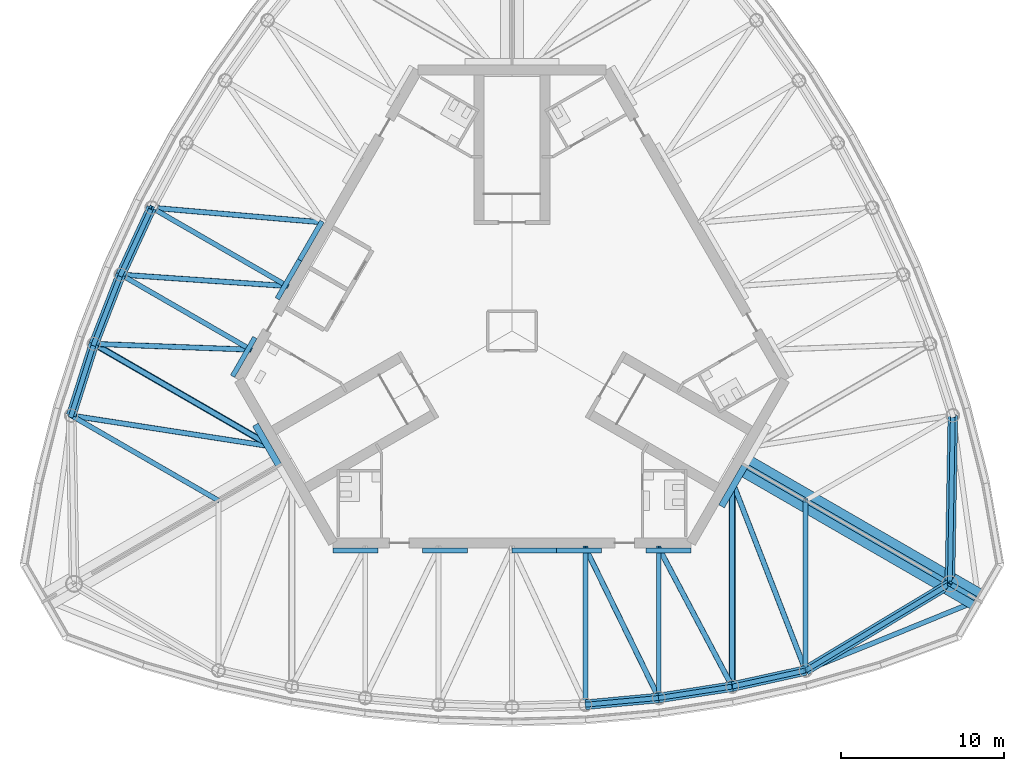
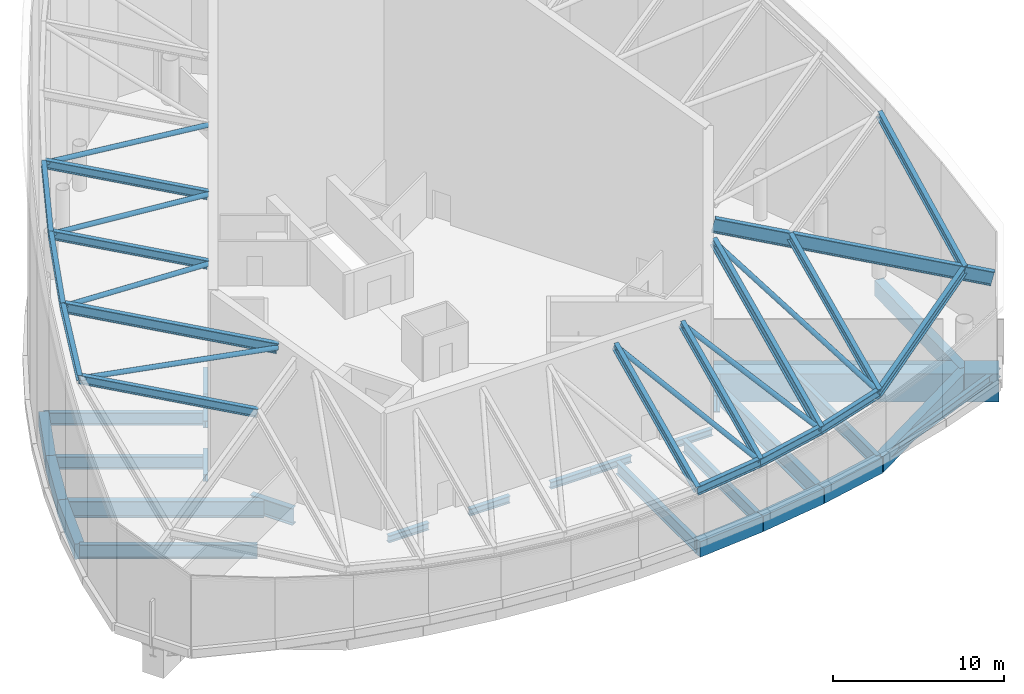
# One storey, part 2 of 10: 47 beams, 7 members.
"""IFC4 building model written with IfcOpenShell, lengths in metres."""

from ifc_helpers import new_model, si_unit, direction, frame, origin, origin_2d, place, context, subcontext, project, spatial, rectangle, hollow_circle, i_section, extrude, material, material_profile, profile_set, type_object, element, save


model = new_model("IFC4")

# Units and contexts
model_context = context("Model", 3, precision=1e-05, world=origin(), true_north=direction((0.0, 1.0)))
body_context = subcontext(model_context, "Body", "Model", "MODEL_VIEW")
ifc_project = project(units=[si_unit("LENGTHUNIT", "METRE"), si_unit("AREAUNIT", "SQUARE_METRE"), si_unit("VOLUMEUNIT", "CUBIC_METRE"), si_unit("PLANEANGLEUNIT", "RADIAN"), si_unit("MASSUNIT", "GRAM", prefix="KILO")], contexts=[model_context])

# Site, building, storey
site_placement = place(None, origin())
site = spatial("IfcSite", under=ifc_project, at=site_placement, CompositionType="ELEMENT")
building_placement = place(site_placement, origin())
building = spatial("IfcBuilding", under=site, at=building_placement, Name="Trefoil Bronze Tower", CompositionType="ELEMENT")
storey_placement = place(building_placement, frame((0.0, 0.0, 328.5)))
storey = spatial("IfcBuildingStorey", under=building, at=storey_placement, Name="RF", CompositionType="ELEMENT", Elevation=328.5)

# Beams
ifc_material_1 = material(Name="Steel C355", Category="steel")
ifc_material_profile_1 = material_profile(ifc_material_1, i_section(OverallWidth=0.300048828125, OverallDepth=0.5, WebThickness=0.014404296875, FlangeThickness=0.028076171875, FilletRadius=0.027099609375, at=origin_2d()), Name="HEB 500")
ifc_profile_set_1 = profile_set([ifc_material_profile_1], Name="Steel C355")
beam_type_1 = type_object("IfcBeamType", Name="Core seat beam HEB 500", PredefinedType="BEAM", material=ifc_profile_set_1)
for number, where, z_axis, x_axis, name in (
    (1, (-10.9697265625, -13.449951171875, -0.5), (1.0, 0.0, 0.0), (0.0, 1.0, 0.0), "Core seat beam F1/-2 RF"),
    (2, (-5.48486328125, -13.449951171875, -0.5), (1.0, 0.0, 0.0), (0.0, 1.0, 0.0), "Core seat beam F1/-1 RF"),
    (3, (0.0, -13.449951171875, -0.5), (1.0, 0.0, 0.0), (0.0, 1.0, 0.0), "Core seat beam F1/+0 RF"),
    (4, (2.742431640625, -13.449951171875, -0.5), (1.0, 0.0, 0.0), (0.0, 1.0, 0.0), "Core seat beam F1/+1 RF"),
    (5, (8.227294921875, -13.449951171875, -0.5), (1.0, 0.0, 0.0), (0.0, 1.0, 0.0), "Core seat beam F1/+2 RF"),
    (6, (-11.64794921875, 6.72509765625, -0.5), (-0.500035825175, -0.866004719122, 0.0), (0.866004719122, -0.500035825175, 0.0), "Core seat beam F3/+0 RF"),
    (7, (-13.019287109375, 4.35009765625, -0.5), (-0.499969057507, -0.866043267704, 0.0), (0.866043267704, -0.499969057507, 0.0), "Core seat beam F3/+1 RF"),
    (8, (-15.76171875, -0.39990234375, -0.5), (-0.499969057507, -0.866043267704, 0.0), (0.866043267704, -0.499969057507, 0.0), "Core seat beam F3/+2 RF"),
):
    element("IfcBeam", number, at=place(storey_placement, frame(where, z_axis=z_axis, x_axis=x_axis)), inside=storey, type_object=beam_type_1, Name=name, PredefinedType="BEAM", context=body_context, shape_type="SweptSolid", body=[
        extrude(i_section(OverallWidth=0.300048828125, OverallDepth=0.5, WebThickness=0.014404296875, FlangeThickness=0.028076171875, FilletRadius=0.027099609375, at=origin_2d()), origin(), (0.0, 0.0, 1.0), 2.742431640625),
    ])
ifc_material_2 = material(Name="Steel C355", Category="steel")
ifc_material_profile_2 = material_profile(ifc_material_2, i_section(OverallWidth=0.39990234375, OverallDepth=1.199951171875, WebThickness=0.02001953125, FlangeThickness=0.0400390625, FilletRadius=0.010009765625, at=origin_2d()), Name="WPG 1200")
ifc_profile_set_2 = profile_set([ifc_material_profile_2], Name="Steel C355")
beam_type_2 = type_object("IfcBeamType", Name="Core seat beam WPG 1200", PredefinedType="BEAM", material=ifc_profile_set_2)
beam_1_placement = place(storey_placement, frame((12.845947265625, -10.75, -0.85009765625), z_axis=(0.499995765644, 0.866027848477, 0.0), x_axis=(-0.866027848477, 0.499995765644, 0.0)))
element("IfcBeam", 9, at=beam_1_placement, inside=storey, type_object=beam_type_2, Name="Core seat beam F1/+3 RF", PredefinedType="BEAM", context=body_context, shape_type="SweptSolid", body=[
    extrude(i_section(OverallWidth=0.39990234375, OverallDepth=1.199951171875, WebThickness=0.02001953125, FlangeThickness=0.0400390625, FilletRadius=0.010009765625, at=origin_2d()), origin(), (0.0, 0.0, 1.0), 2.88671875),
])
beam_2_placement = place(storey_placement, frame((-15.73291015625, -5.75, -0.85009765625), z_axis=(0.500059191753, -0.865991226713, 0.0), x_axis=(0.865991226713, 0.500059191753, 0.0)))
element("IfcBeam", 10, at=beam_2_placement, inside=storey, type_object=beam_type_2, Name="Core seat beam F3/+3 RF", PredefinedType="BEAM", context=body_context, shape_type="SweptSolid", body=[
    extrude(i_section(OverallWidth=0.39990234375, OverallDepth=1.199951171875, WebThickness=0.02001953125, FlangeThickness=0.0400390625, FilletRadius=0.010009765625, at=origin_2d()), origin(), (0.0, 0.0, 1.0), 2.886962890625),
])
ifc_material_3 = material(Name="Concrete B80", Category="concrete")
ifc_material_profile_3 = material_profile(ifc_material_3, rectangle(XDim=1.39990234375, YDim=2.0, at=origin_2d()), Name="RC 1400x2000")
ifc_profile_set_3 = profile_set([ifc_material_profile_3], Name="Concrete B80")
beam_type_3 = type_object("IfcBeamType", Name="Corner cantilever RC 1400x2000", PredefinedType="BEAM", material=ifc_profile_set_3)
beam_3_placement = place(storey_placement, frame((26.8466796875, -15.5, -1.25), z_axis=(0.866010470582, -0.500025864173, 0.0), x_axis=(0.500025864173, 0.866010470582, 0.0)))
element("IfcBeam", 11, at=beam_3_placement, inside=storey, type_object=beam_type_3, Name="Corner cantilever K1 RF", PredefinedType="BEAM", context=body_context, shape_type="SweptSolid", body=[
    extrude(rectangle(XDim=1.39990234375, YDim=2.0, at=origin_2d()), origin(), (0.0, 0.0, 1.0), 2.02001953125),
])
ifc_material_4 = material(Name="Steel C355", Category="steel")
ifc_material_profile_4 = material_profile(ifc_material_4, i_section(OverallWidth=0.300048828125, OverallDepth=0.60009765625, WebThickness=0.015380859375, FlangeThickness=0.030029296875, FilletRadius=0.027099609375, at=origin_2d()), Name="HEB 600")
ifc_profile_set_4 = profile_set([ifc_material_profile_4], Name="Steel C355")
beam_type_4 = type_object("IfcBeamType", Name="Corner edge beam HEB 600", PredefinedType="BEAM", material=ifc_profile_set_4)
beam_4_placement = place(storey_placement, frame((18.0, -20.816162109375, -0.550048828125), z_axis=(0.926419351914, 0.376493272714, 0.0), x_axis=(-0.376493272714, 0.926419351914, 0.0)))
element("IfcBeam", 12, at=beam_4_placement, inside=storey, type_object=beam_type_4, Name="Corner edge beam F1A RF", PredefinedType="BEAM", context=body_context, shape_type="SweptSolid", body=[
    extrude(i_section(OverallWidth=0.300048828125, OverallDepth=0.60009765625, WebThickness=0.015380859375, FlangeThickness=0.030029296875, FilletRadius=0.027099609375, at=origin_2d()), origin(), (0.0, 0.0, 1.0), 11.4375),
])
ifc_material_5 = material(Name="Concrete B80", Category="concrete")
ifc_material_profile_5 = material_profile(ifc_material_5, rectangle(XDim=1.39990234375, YDim=2.0, at=origin_2d()), Name="RC 1400x2000")
ifc_profile_set_5 = profile_set([ifc_material_profile_5], Name="Concrete B80")
beam_type_5 = type_object("IfcBeamType", Name="Corner girder RC 1400x2000", PredefinedType="BEAM", material=ifc_profile_set_5)
beam_5_placement = place(storey_placement, frame((14.1162109375, -8.14990234375, -1.25), z_axis=(0.86602074674, -0.500008066151, 0.0), x_axis=(0.500008066151, 0.86602074674, 0.0)))
element("IfcBeam", 13, at=beam_5_placement, inside=storey, type_object=beam_type_5, Name="Corner girder K1 RF", PredefinedType="BEAM", context=body_context, shape_type="SweptSolid", body=[
    extrude(rectangle(XDim=1.39990234375, YDim=2.0, at=origin_2d()), origin(), (0.0, 0.0, 1.0), 14.699951171875),
])
ifc_material_6 = material(Name="Steel C355", Category="steel")
ifc_material_profile_6 = material_profile(ifc_material_6, i_section(OverallWidth=0.300048828125, OverallDepth=0.60009765625, WebThickness=0.015380859375, FlangeThickness=0.030029296875, FilletRadius=0.027099609375, at=origin_2d()), Name="HEB 600")
ifc_profile_set_6 = profile_set([ifc_material_profile_6], Name="Steel C355")
beam_type_6 = type_object("IfcBeamType", Name="Crown edge beam HEB 600", PredefinedType="BEAM", material=ifc_profile_set_6)
beam_6_placement = place(storey_placement, frame((4.5, -22.913818359375, 3.28955078125), z_axis=(0.994873271604, 0.091650109331, 0.042748460889), x_axis=(-0.091733966402, 0.995783550481, 0.0)))
element("IfcBeam", 14, at=beam_6_placement, inside=storey, type_object=beam_type_6, Name="Crown edge beam F1.7", PredefinedType="BEAM", context=body_context, shape_type="SweptSolid", body=[
    extrude(i_section(OverallWidth=0.300048828125, OverallDepth=0.60009765625, WebThickness=0.015380859375, FlangeThickness=0.030029296875, FilletRadius=0.027099609375, at=origin_2d()), origin(), (0.0, 0.0, 1.0), 4.523193359375),
])
beam_7_placement = place(storey_placement, frame((9.0, -22.499267578125, 3.48291015625), z_axis=(0.985728869191, 0.152576197038, 0.071127354385), x_axis=(-0.152963616816, 0.988231820946, 0.0)))
element("IfcBeam", 15, at=beam_7_placement, inside=storey, type_object=beam_type_6, Name="Crown edge beam F1.8", PredefinedType="BEAM", context=body_context, shape_type="SweptSolid", body=[
    extrude(i_section(OverallWidth=0.300048828125, OverallDepth=0.60009765625, WebThickness=0.015380859375, FlangeThickness=0.030029296875, FilletRadius=0.027099609375, at=origin_2d()), origin(), (0.0, 0.0, 1.0), 4.565185546875),
])
beam_8_placement = place(storey_placement, frame((13.5, -21.802734375, 3.8076171875), z_axis=(0.971962746474, 0.213091441976, 0.099400487039), x_axis=(-0.214152028182, 0.976800342355, 0.0)))
element("IfcBeam", 16, at=beam_8_placement, inside=storey, type_object=beam_type_6, Name="Crown edge beam F1.9", PredefinedType="BEAM", context=body_context, shape_type="SweptSolid", body=[
    extrude(i_section(OverallWidth=0.300048828125, OverallDepth=0.60009765625, WebThickness=0.015380859375, FlangeThickness=0.030029296875, FilletRadius=0.027099609375, at=origin_2d()), origin(), (0.0, 0.0, 1.0), 4.6298828125),
])
beam_9_placement = place(storey_placement, frame((18.0, -20.816162109375, 4.267822265625), z_axis=(0.833418205119, 0.500819114043, 0.233654253941), x_axis=(-0.515076563855, 0.857144173035, 0.0)))
element("IfcBeam", 17, at=beam_9_placement, inside=storey, type_object=beam_type_6, Name="Crown edge beam F1.10", PredefinedType="BEAM", context=body_context, shape_type="SweptSolid", body=[
    extrude(i_section(OverallWidth=0.300048828125, OverallDepth=0.60009765625, WebThickness=0.015380859375, FlangeThickness=0.030029296875, FilletRadius=0.027099609375, at=origin_2d()), origin(), (0.0, 0.0, 1.0), 10.614990234375),
])
beam_10_placement = place(storey_placement, frame((26.8466796875, -15.5, 6.784423828125), z_axis=(0.015874908179, 0.906779045673, 0.421307191511), x_axis=(-0.999846789094, 0.017504237714, 0.0)))
element("IfcBeam", 18, at=beam_10_placement, inside=storey, type_object=beam_type_6, Name="Crown edge beam F2.1", PredefinedType="BEAM", context=body_context, shape_type="SweptSolid", body=[
    extrude(i_section(OverallWidth=0.300048828125, OverallDepth=0.60009765625, WebThickness=0.015380859375, FlangeThickness=0.030029296875, FilletRadius=0.027099609375, at=origin_2d()), origin(), (0.0, 0.0, 1.0), 11.38037109375),
])
beam_11_placement = place(storey_placement, frame((-22.093994140625, 7.559814453125, 17.51220703125), z_axis=(-0.38535807126, -0.83649320775, -0.389587307678), x_axis=(0.90825484215, -0.418417425199, 0.0)))
element("IfcBeam", 19, at=beam_11_placement, inside=storey, type_object=beam_type_6, Name="Crown edge beam F3.7", PredefinedType="BEAM", context=body_context, shape_type="SweptSolid", body=[
    extrude(i_section(OverallWidth=0.300048828125, OverallDepth=0.60009765625, WebThickness=0.015380859375, FlangeThickness=0.030029296875, FilletRadius=0.027099609375, at=origin_2d()), origin(), (0.0, 0.0, 1.0), 4.90673828125),
])
beam_12_placement = place(storey_placement, frame((-23.98486328125, 3.455322265625, 15.6005859375), z_axis=(-0.331719102845, -0.855191027335, -0.398259643416), x_axis=(0.932319256631, -0.361636286502, 0.0)))
element("IfcBeam", 20, at=beam_12_placement, inside=storey, type_object=beam_type_6, Name="Crown edge beam F3.8", PredefinedType="BEAM", context=body_context, shape_type="SweptSolid", body=[
    extrude(i_section(OverallWidth=0.300048828125, OverallDepth=0.60009765625, WebThickness=0.015380859375, FlangeThickness=0.030029296875, FilletRadius=0.027099609375, at=origin_2d()), origin(), (0.0, 0.0, 1.0), 4.964111328125),
])
beam_13_placement = place(storey_placement, frame((-25.631591796875, -0.7900390625, 13.62353515625), z_axis=(-0.276925773923, -0.871078571358, -0.405628201999), x_axis=(0.953000221975, -0.302969597344, 0.0)))
element("IfcBeam", 21, at=beam_13_placement, inside=storey, type_object=beam_type_6, Name="Crown edge beam F3.9", PredefinedType="BEAM", context=body_context, shape_type="SweptSolid", body=[
    extrude(i_section(OverallWidth=0.300048828125, OverallDepth=0.60009765625, WebThickness=0.015380859375, FlangeThickness=0.030029296875, FilletRadius=0.027099609375, at=origin_2d()), origin(), (0.0, 0.0, 1.0), 5.040283203125),
])
ifc_material_7 = material(Name="Steel C355", Category="steel")
ifc_material_profile_7 = material_profile(ifc_material_7, i_section(OverallWidth=0.302001953125, OverallDepth=1.008056640625, WebThickness=0.02099609375, FlangeThickness=0.0400390625, FilletRadius=0.030029296875, at=origin_2d()), Name="HEM 1000")
ifc_profile_set_7 = profile_set([ifc_material_profile_7], Name="Steel C355")
beam_type_7 = type_object("IfcBeamType", Name="Crown girder HEM 1000", PredefinedType="BEAM", material=ifc_profile_set_7)
beam_14_placement = place(storey_placement, frame((14.1162109375, -8.14990234375, 9.96533203125), z_axis=(0.843401518478, -0.486948567722, -0.227057197691), x_axis=(0.500008066151, 0.86602074674, 0.0)))
element("IfcBeam", 22, at=beam_14_placement, inside=storey, type_object=beam_type_7, Name="Crown girder K1", PredefinedType="BEAM", context=body_context, shape_type="SweptSolid", body=[
    extrude(i_section(OverallWidth=0.302001953125, OverallDepth=1.008056640625, WebThickness=0.02099609375, FlangeThickness=0.0400390625, FilletRadius=0.030029296875, at=origin_2d()), origin(), (0.0, 0.0, 1.0), 15.09423828125),
])
beam_15_placement = place(storey_placement, frame((26.8466796875, -15.5, 6.5380859375), z_axis=(0.843376804492, -0.48699633416, -0.227046550644), x_axis=(0.50005583908, 0.865993162676, 0.0)))
element("IfcBeam", 23, at=beam_15_placement, inside=storey, type_object=beam_type_7, Name="Crown cantilever K1", PredefinedType="BEAM", context=body_context, shape_type="SweptSolid", body=[
    extrude(i_section(OverallWidth=0.302001953125, OverallDepth=1.008056640625, WebThickness=0.02099609375, FlangeThickness=0.0400390625, FilletRadius=0.030029296875, at=origin_2d()), origin(), (0.0, 0.0, 1.0), 1.714111328125),
])
ifc_material_8 = material(Name="Steel C355", Category="steel")
ifc_material_profile_8 = material_profile(ifc_material_8, i_section(OverallWidth=0.300048828125, OverallDepth=0.60009765625, WebThickness=0.015380859375, FlangeThickness=0.030029296875, FilletRadius=0.027099609375, at=origin_2d()), Name="HEB 600")
ifc_profile_set_8 = profile_set([ifc_material_profile_8], Name="Steel C355")
beam_type_8 = type_object("IfcBeamType", Name="Crown rafter HEB 600", PredefinedType="BEAM", material=ifc_profile_set_8)
beam_16_placement = place(storey_placement, frame((4.5, -22.913818359375, 3.328369140625), z_axis=(0.0, 0.906301289639, 0.422632195176), x_axis=(-1.0, 0.0, 0.0)))
element("IfcBeam", 24, at=beam_16_placement, inside=storey, type_object=beam_type_8, Name="Crown rafter F1/+1", PredefinedType="BEAM", context=body_context, shape_type="SweptSolid", body=[
    extrude(i_section(OverallWidth=0.300048828125, OverallDepth=0.60009765625, WebThickness=0.015380859375, FlangeThickness=0.030029296875, FilletRadius=0.027099609375, at=origin_2d()), origin(), (0.0, 0.0, 1.0), 10.607666015625),
])
beam_17_placement = place(storey_placement, frame((9.0, -22.499267578125, 3.521728515625), z_axis=(0.0, 0.906302927829, 0.422628682189), x_axis=(-1.0, 0.0, 0.0)))
element("IfcBeam", 25, at=beam_17_placement, inside=storey, type_object=beam_type_8, Name="Crown rafter F1/+2", PredefinedType="BEAM", context=body_context, shape_type="SweptSolid", body=[
    extrude(i_section(OverallWidth=0.300048828125, OverallDepth=0.60009765625, WebThickness=0.015380859375, FlangeThickness=0.030029296875, FilletRadius=0.027099609375, at=origin_2d()), origin(), (0.0, 0.0, 1.0), 10.150390625),
])
beam_18_placement = place(storey_placement, frame((18.0, -20.816162109375, 4.306640625), z_axis=(0.0, 0.906311622721, 0.422610035993), x_axis=(-1.0, 0.0, 0.0)))
element("IfcBeam", 26, at=beam_18_placement, inside=storey, type_object=beam_type_8, Name="Crown rafter F1/+4", PredefinedType="BEAM", context=body_context, shape_type="SweptSolid", body=[
    extrude(i_section(OverallWidth=0.300048828125, OverallDepth=0.60009765625, WebThickness=0.015380859375, FlangeThickness=0.030029296875, FilletRadius=0.027099609375, at=origin_2d()), origin(), (0.0, 0.0, 1.0), 11.50146484375),
])
beam_19_placement = place(storey_placement, frame((-22.093994140625, 7.559814453125, 17.5009765625), z_axis=(0.84340999103, -0.486933680714, -0.22705765263), x_axis=(0.499992834343, 0.866029540839, 0.0)))
element("IfcBeam", 27, at=beam_19_placement, inside=storey, type_object=beam_type_8, Name="Crown rafter F3/+1", PredefinedType="BEAM", context=body_context, shape_type="SweptSolid", body=[
    extrude(i_section(OverallWidth=0.300048828125, OverallDepth=0.60009765625, WebThickness=0.015380859375, FlangeThickness=0.030029296875, FilletRadius=0.027099609375, at=origin_2d()), origin(), (0.0, 0.0, 1.0), 9.871826171875),
])
beam_20_placement = place(storey_placement, frame((-23.98486328125, 3.455322265625, 15.5869140625), z_axis=(0.843407100155, -0.486938887194, -0.227057225266), x_axis=(0.499998129301, 0.86602648383, 0.0)))
element("IfcBeam", 28, at=beam_20_placement, inside=storey, type_object=beam_type_8, Name="Crown rafter F3/+2", PredefinedType="BEAM", context=body_context, shape_type="SweptSolid", body=[
    extrude(i_section(OverallWidth=0.300048828125, OverallDepth=0.60009765625, WebThickness=0.015380859375, FlangeThickness=0.030029296875, FilletRadius=0.027099609375, at=origin_2d()), origin(), (0.0, 0.0, 1.0), 9.446044921875),
])
beam_21_placement = place(storey_placement, frame((-27.02734375, -5.180419921875, 11.56005859375), z_axis=(0.843404743405, -0.486937593634, -0.227068753262), x_axis=(0.499998180979, 0.866026453994, 0.0)))
element("IfcBeam", 29, at=beam_21_placement, inside=storey, type_object=beam_type_8, Name="Crown rafter F3/+4", PredefinedType="BEAM", context=body_context, shape_type="SweptSolid", body=[
    extrude(i_section(OverallWidth=0.300048828125, OverallDepth=0.60009765625, WebThickness=0.015380859375, FlangeThickness=0.030029296875, FilletRadius=0.027099609375, at=origin_2d()), origin(), (0.0, 0.0, 1.0), 10.703369140625),
])
ifc_material_9 = material(Name="Steel C355", Category="steel")
ifc_material_profile_9 = material_profile(ifc_material_9, i_section(OverallWidth=0.303955078125, OverallDepth=0.716064453125, WebThickness=0.02099609375, FlangeThickness=0.0400390625, FilletRadius=0.027099609375, at=origin_2d()), Name="HEM 700")
ifc_profile_set_9 = profile_set([ifc_material_profile_9], Name="Steel C355")
beam_type_9 = type_object("IfcBeamType", Name="Crown rafter HEM 700", PredefinedType="BEAM", material=ifc_profile_set_9)
beam_22_placement = place(storey_placement, frame((13.5, -21.802734375, 3.782470703125), z_axis=(0.0, 0.906308862974, 0.422615954378), x_axis=(-1.0, 0.0, 0.0)))
element("IfcBeam", 30, at=beam_22_placement, inside=storey, type_object=beam_type_9, Name="Crown rafter F1/+3", PredefinedType="BEAM", context=body_context, shape_type="SweptSolid", body=[
    extrude(i_section(OverallWidth=0.303955078125, OverallDepth=0.716064453125, WebThickness=0.02099609375, FlangeThickness=0.0400390625, FilletRadius=0.027099609375, at=origin_2d()), origin(), (0.0, 0.0, 1.0), 13.886474609375),
])
beam_23_placement = place(storey_placement, frame((-25.631591796875, -0.7900390625, 13.546875), z_axis=(0.843401680856, -0.486944836235, -0.227064596963), x_axis=(0.500005120304, 0.866022447555, 0.0)))
element("IfcBeam", 31, at=beam_23_placement, inside=storey, type_object=beam_type_9, Name="Crown rafter F3/+3", PredefinedType="BEAM", context=body_context, shape_type="SweptSolid", body=[
    extrude(i_section(OverallWidth=0.303955078125, OverallDepth=0.716064453125, WebThickness=0.02099609375, FlangeThickness=0.0400390625, FilletRadius=0.027099609375, at=origin_2d()), origin(), (0.0, 0.0, 1.0), 12.9228515625),
])

# Members
ifc_material_10 = material(Name="Steel C355", Category="steel")
ifc_material_profile_10 = material_profile(ifc_material_10, hollow_circle(Radius=0.161865234375, WallThickness=0.012451171875, at=origin_2d()), Name="CHS 323.9x12.5")
ifc_profile_set_10 = profile_set([ifc_material_profile_10], Name="Steel C355")
member_type = type_object("IfcMemberType", Name="Crown roof brace CHS 323.9x12.5", PredefinedType="BRACE", material=ifc_profile_set_10)
member_1_placement = place(storey_placement, frame((9.0, -22.499267578125, 3.521728515625), z_axis=(-0.405293635165, 0.828529957303, 0.386361461777), x_axis=(-0.89828399934, -0.439415357639, 0.0)))
element("IfcMember", 32, at=member_1_placement, inside=storey, type_object=member_type, Name="Crown roof brace F1.6", PredefinedType="BRACE", context=body_context, shape_type="SweptSolid", body=[
    extrude(hollow_circle(Radius=0.161865234375, WallThickness=0.012451171875, at=origin_2d()), origin(), (0.0, 0.0, 1.0), 11.10302734375),
])
member_2_placement = place(storey_placement, frame((13.5, -21.802734375, 3.782470703125), z_axis=(-0.431459591135, 0.81523671769, 0.386305210097), x_axis=(-0.883849022427, -0.467772279593, 0.0)))
element("IfcMember", 33, at=member_2_placement, inside=storey, type_object=member_type, Name="Crown roof brace F1.7", PredefinedType="BRACE", context=body_context, shape_type="SweptSolid", body=[
    extrude(hollow_circle(Radius=0.161865234375, WallThickness=0.012451171875, at=origin_2d()), origin(), (0.0, 0.0, 1.0), 10.4296875),
])
member_3_placement = place(storey_placement, frame((18.0, -20.816162109375, 4.306640625), z_axis=(-0.332334241054, 0.856600882066, 0.394701002111), x_axis=(-0.932294202028, -0.361700872083, 0.0)))
element("IfcMember", 34, at=member_3_placement, inside=storey, type_object=member_type, Name="Crown roof brace F1.8", PredefinedType="BRACE", context=body_context, shape_type="SweptSolid", body=[
    extrude(hollow_circle(Radius=0.161865234375, WallThickness=0.012451171875, at=origin_2d()), origin(), (0.0, 0.0, 1.0), 13.54052734375),
])
member_4_placement = place(storey_placement, frame((-22.093994140625, 7.559814453125, 17.5009765625), z_axis=(0.995524273093, -0.085651076106, -0.039941392614), x_axis=(0.085719478175, 0.996319311798, 0.0)))
element("IfcMember", 35, at=member_4_placement, inside=storey, type_object=member_type, Name="Crown roof brace F3.5", PredefinedType="BRACE", context=body_context, shape_type="SweptSolid", body=[
    extrude(hollow_circle(Radius=0.161865234375, WallThickness=0.012451171875, at=origin_2d()), origin(), (0.0, 0.0, 1.0), 10.62353515625),
])
member_5_placement = place(storey_placement, frame((-23.98486328125, 3.455322265625, 15.5869140625), z_axis=(0.9971357278, -0.068551889908, -0.031952757861), x_axis=(0.068586911739, 0.997645145098, 0.0)))
element("IfcMember", 36, at=member_5_placement, inside=storey, type_object=member_type, Name="Crown roof brace F3.6", PredefinedType="BRACE", context=body_context, shape_type="SweptSolid", body=[
    extrude(hollow_circle(Radius=0.161865234375, WallThickness=0.012451171875, at=origin_2d()), origin(), (0.0, 0.0, 1.0), 10.24609375),
])
member_6_placement = place(storey_placement, frame((-25.631591796875, -0.7900390625, 13.546875), z_axis=(0.999262547954, -0.036821747647, -0.010886650407), x_axis=(0.036823929882, 0.999321769095, 0.0)))
element("IfcMember", 37, at=member_6_placement, inside=storey, type_object=member_type, Name="Crown roof brace F3.7", PredefinedType="BRACE", context=body_context, shape_type="SweptSolid", body=[
    extrude(hollow_circle(Radius=0.161865234375, WallThickness=0.012451171875, at=origin_2d()), origin(), (0.0, 0.0, 1.0), 9.62060546875),
])
member_7_placement = place(storey_placement, frame((-27.02734375, -5.180419921875, 11.56005859375), z_axis=(0.98538708231, -0.152464975087, -0.07593898464), x_axis=(0.152906497739, 0.988240660441, 0.0)))
element("IfcMember", 38, at=member_7_placement, inside=storey, type_object=member_type, Name="Crown roof brace F3.8", PredefinedType="BRACE", context=body_context, shape_type="SweptSolid", body=[
    extrude(hollow_circle(Radius=0.161865234375, WallThickness=0.012451171875, at=origin_2d()), origin(), (0.0, 0.0, 1.0), 12.477294921875),
])

# Beams
ifc_material_11 = material(Name="Concrete B80", Category="concrete")
ifc_material_profile_11 = material_profile(ifc_material_11, rectangle(XDim=0.60009765625, YDim=1.10009765625, at=origin_2d()), Name="RC 600x1100")
ifc_profile_set_11 = profile_set([ifc_material_profile_11], Name="Concrete B80")
beam_type_10 = type_object("IfcBeamType", Name="End spandrel beam RC 600x1100", PredefinedType="SPANDREL", material=ifc_profile_set_11)
for number, where, z_axis, x_axis, name in (
    (39, (18.0, -20.816162109375, -0.800048828125), (0.857144173035, 0.515076563855, 0.0), (-0.515076563855, 0.857144173035, 0.0), "Spandrel F1.10 RF"),
    (40, (26.8466796875, -15.5, -0.800048828125), (0.017504237714, 0.999846789094, 0.0), (-0.999846789094, 0.017504237714, 0.0), "Spandrel F2.1 RF"),
):
    element("IfcBeam", number, at=place(storey_placement, frame(where, z_axis=z_axis, x_axis=x_axis)), inside=storey, type_object=beam_type_10, Name=name, PredefinedType="SPANDREL", context=body_context, shape_type="SweptSolid", body=[
        extrude(rectangle(XDim=0.60009765625, YDim=1.10009765625, at=origin_2d()), origin(), (0.0, 0.0, 1.0), 10.321044921875),
    ])
ifc_material_12 = material(Name="Steel C355", Category="steel")
ifc_material_profile_12 = material_profile(ifc_material_12, i_section(OverallWidth=0.300048828125, OverallDepth=0.89990234375, WebThickness=0.0185546875, FlangeThickness=0.034912109375, FilletRadius=0.030029296875, at=origin_2d()), Name="HEB 900")
ifc_profile_set_12 = profile_set([ifc_material_profile_12], Name="Steel C355")
beam_type_11 = type_object("IfcBeamType", Name="Floor beam HEB 900", PredefinedType="BEAM", material=ifc_profile_set_12)
beam_24_placement = place(storey_placement, frame((4.5, -22.913818359375, -0.699951171875), z_axis=(0.0, 1.0, 0.0), x_axis=(-1.0, 0.0, 0.0)))
element("IfcBeam", 41, at=beam_24_placement, inside=storey, type_object=beam_type_11, Name="Floor beam F1/+1 RF", PredefinedType="BEAM", context=body_context, shape_type="SweptSolid", body=[
    extrude(i_section(OverallWidth=0.300048828125, OverallDepth=0.89990234375, WebThickness=0.0185546875, FlangeThickness=0.034912109375, FilletRadius=0.030029296875, at=origin_2d()), origin(), (0.0, 0.0, 1.0), 9.313720703125),
])
beam_25_placement = place(storey_placement, frame((9.0, -22.499267578125, -0.699951171875), z_axis=(0.0, 1.0, 0.0), x_axis=(-1.0, 0.0, 0.0)))
element("IfcBeam", 42, at=beam_25_placement, inside=storey, type_object=beam_type_11, Name="Floor beam F1/+2 RF", PredefinedType="BEAM", context=body_context, shape_type="SweptSolid", body=[
    extrude(i_section(OverallWidth=0.300048828125, OverallDepth=0.89990234375, WebThickness=0.0185546875, FlangeThickness=0.034912109375, FilletRadius=0.030029296875, at=origin_2d()), origin(), (0.0, 0.0, 1.0), 8.899169921875),
])
beam_26_placement = place(storey_placement, frame((-22.093994140625, 7.559814453125, -0.699951171875), z_axis=(0.866026261222, -0.499998514871, 0.0), x_axis=(0.499998514871, 0.866026261222, 0.0)))
element("IfcBeam", 43, at=beam_26_placement, inside=storey, type_object=beam_type_11, Name="Floor beam F3/+1 RF", PredefinedType="BEAM", context=body_context, shape_type="SweptSolid", body=[
    extrude(i_section(OverallWidth=0.300048828125, OverallDepth=0.89990234375, WebThickness=0.0185546875, FlangeThickness=0.034912109375, FilletRadius=0.030029296875, at=origin_2d()), origin(), (0.0, 0.0, 1.0), 9.31396484375),
])
beam_27_placement = place(storey_placement, frame((-23.98486328125, 3.455322265625, -0.699951171875), z_axis=(0.866034827411, -0.499983677445, 0.0), x_axis=(0.499983677445, 0.866034827411, 0.0)))
element("IfcBeam", 44, at=beam_27_placement, inside=storey, type_object=beam_type_11, Name="Floor beam F3/+2 RF", PredefinedType="BEAM", context=body_context, shape_type="SweptSolid", body=[
    extrude(i_section(OverallWidth=0.300048828125, OverallDepth=0.89990234375, WebThickness=0.0185546875, FlangeThickness=0.034912109375, FilletRadius=0.030029296875, at=origin_2d()), origin(), (0.0, 0.0, 1.0), 8.899169921875),
])
ifc_material_13 = material(Name="Steel C355", Category="steel")
ifc_material_profile_13 = material_profile(ifc_material_13, i_section(OverallWidth=0.302001953125, OverallDepth=1.008056640625, WebThickness=0.02099609375, FlangeThickness=0.0400390625, FilletRadius=0.030029296875, at=origin_2d()), Name="HEM 1000")
ifc_profile_set_13 = profile_set([ifc_material_profile_13], Name="Steel C355")
beam_type_12 = type_object("IfcBeamType", Name="Floor beam HEM 1000", PredefinedType="BEAM", material=ifc_profile_set_13)
for number, where, z_axis, x_axis, name in (
    (45, (18.0, -20.816162109375, -0.75390625), (0.0, 1.0, 0.0), (-1.0, 0.0, 0.0), "Floor beam F1/+4 RF"),
    (46, (-27.02734375, -5.180419921875, -0.75390625), (0.866026453994, -0.499998180979, 0.0), (0.499998180979, 0.866026453994, 0.0), "Floor beam F3/+4 RF"),
):
    element("IfcBeam", number, at=place(storey_placement, frame(where, z_axis=z_axis, x_axis=x_axis)), inside=storey, type_object=beam_type_12, Name=name, PredefinedType="BEAM", context=body_context, shape_type="SweptSolid", body=[
        extrude(i_section(OverallWidth=0.302001953125, OverallDepth=1.008056640625, WebThickness=0.02099609375, FlangeThickness=0.0400390625, FilletRadius=0.030029296875, at=origin_2d()), origin(), (0.0, 0.0, 1.0), 10.423828125),
    ])
ifc_material_14 = material(Name="Steel C355", Category="steel")
ifc_material_profile_14 = material_profile(ifc_material_14, i_section(OverallWidth=0.39990234375, OverallDepth=1.199951171875, WebThickness=0.02001953125, FlangeThickness=0.0400390625, FilletRadius=0.010009765625, at=origin_2d()), Name="WPG 1200")
ifc_profile_set_14 = profile_set([ifc_material_profile_14], Name="Steel C355")
beam_type_13 = type_object("IfcBeamType", Name="Floor beam WPG 1200", PredefinedType="BEAM", material=ifc_profile_set_14)
beam_28_placement = place(storey_placement, frame((13.5, -21.802734375, -0.85009765625), z_axis=(0.0, 1.0, 0.0), x_axis=(-1.0, 0.0, 0.0)))
element("IfcBeam", 47, at=beam_28_placement, inside=storey, type_object=beam_type_13, Name="Floor beam F1/+3 RF", PredefinedType="BEAM", context=body_context, shape_type="SweptSolid", body=[
    extrude(i_section(OverallWidth=0.39990234375, OverallDepth=1.199951171875, WebThickness=0.02001953125, FlangeThickness=0.0400390625, FilletRadius=0.010009765625, at=origin_2d()), origin(), (0.0, 0.0, 1.0), 11.785400390625),
])
beam_29_placement = place(storey_placement, frame((-25.631591796875, -0.7900390625, -0.85009765625), z_axis=(0.866026552003, -0.499998011222, 0.0), x_axis=(0.499998011222, 0.866026552003, 0.0)))
element("IfcBeam", 48, at=beam_29_placement, inside=storey, type_object=beam_type_13, Name="Floor beam F3/+3 RF", PredefinedType="BEAM", context=body_context, shape_type="SweptSolid", body=[
    extrude(i_section(OverallWidth=0.39990234375, OverallDepth=1.199951171875, WebThickness=0.02001953125, FlangeThickness=0.0400390625, FilletRadius=0.010009765625, at=origin_2d()), origin(), (0.0, 0.0, 1.0), 11.78515625),
])
ifc_material_15 = material(Name="Concrete B80", Category="concrete")
ifc_material_profile_15 = material_profile(ifc_material_15, rectangle(XDim=0.60009765625, YDim=1.10009765625, at=origin_2d()), Name="RC 600x1100")
ifc_profile_set_15 = profile_set([ifc_material_profile_15], Name="Concrete B80")
beam_type_14 = type_object("IfcBeamType", Name="Spandrel beam RC 600x1100", PredefinedType="SPANDREL", material=ifc_profile_set_15)
beam_30_placement = place(storey_placement, frame((4.5, -22.913818359375, -0.800048828125), z_axis=(0.995783550481, 0.091733966402, 0.0), x_axis=(-0.091733966402, 0.995783550481, 0.0)))
element("IfcBeam", 49, at=beam_30_placement, inside=storey, type_object=beam_type_14, Name="Spandrel F1.7 RF", PredefinedType="SPANDREL", context=body_context, shape_type="SweptSolid", body=[
    extrude(rectangle(XDim=0.60009765625, YDim=1.10009765625, at=origin_2d()), origin(), (0.0, 0.0, 1.0), 4.51904296875),
])
beam_31_placement = place(storey_placement, frame((9.0, -22.499267578125, -0.800048828125), z_axis=(0.988231820946, 0.152963616816, 0.0), x_axis=(-0.152963616816, 0.988231820946, 0.0)))
element("IfcBeam", 50, at=beam_31_placement, inside=storey, type_object=beam_type_14, Name="Spandrel F1.8 RF", PredefinedType="SPANDREL", context=body_context, shape_type="SweptSolid", body=[
    extrude(rectangle(XDim=0.60009765625, YDim=1.10009765625, at=origin_2d()), origin(), (0.0, 0.0, 1.0), 4.553466796875),
])
beam_32_placement = place(storey_placement, frame((13.5, -21.802734375, -0.800048828125), z_axis=(0.976800342355, 0.214152028182, 0.0), x_axis=(-0.214152028182, 0.976800342355, 0.0)))
element("IfcBeam", 51, at=beam_32_placement, inside=storey, type_object=beam_type_14, Name="Spandrel F1.9 RF", PredefinedType="SPANDREL", context=body_context, shape_type="SweptSolid", body=[
    extrude(rectangle(XDim=0.60009765625, YDim=1.10009765625, at=origin_2d()), origin(), (0.0, 0.0, 1.0), 4.60693359375),
])
beam_33_placement = place(storey_placement, frame((-22.093994140625, 7.559814453125, -0.800048828125), z_axis=(-0.418417425199, -0.90825484215, 0.0), x_axis=(0.90825484215, -0.418417425199, 0.0)))
element("IfcBeam", 52, at=beam_33_placement, inside=storey, type_object=beam_type_14, Name="Spandrel F3.7 RF", PredefinedType="SPANDREL", context=body_context, shape_type="SweptSolid", body=[
    extrude(rectangle(XDim=0.60009765625, YDim=1.10009765625, at=origin_2d()), origin(), (0.0, 0.0, 1.0), 4.51904296875),
])
beam_34_placement = place(storey_placement, frame((-23.98486328125, 3.455322265625, -0.800048828125), z_axis=(-0.361636286502, -0.932319256631, 0.0), x_axis=(0.932319256631, -0.361636286502, 0.0)))
element("IfcBeam", 53, at=beam_34_placement, inside=storey, type_object=beam_type_14, Name="Spandrel F3.8 RF", PredefinedType="SPANDREL", context=body_context, shape_type="SweptSolid", body=[
    extrude(rectangle(XDim=0.60009765625, YDim=1.10009765625, at=origin_2d()), origin(), (0.0, 0.0, 1.0), 4.553466796875),
])
beam_35_placement = place(storey_placement, frame((-25.631591796875, -0.7900390625, -0.800048828125), z_axis=(-0.302969597344, -0.953000221975, 0.0), x_axis=(0.953000221975, -0.302969597344, 0.0)))
element("IfcBeam", 54, at=beam_35_placement, inside=storey, type_object=beam_type_14, Name="Spandrel F3.9 RF", PredefinedType="SPANDREL", context=body_context, shape_type="SweptSolid", body=[
    extrude(rectangle(XDim=0.60009765625, YDim=1.10009765625, at=origin_2d()), origin(), (0.0, 0.0, 1.0), 4.60693359375),
])

save(model, "model.ifc")
